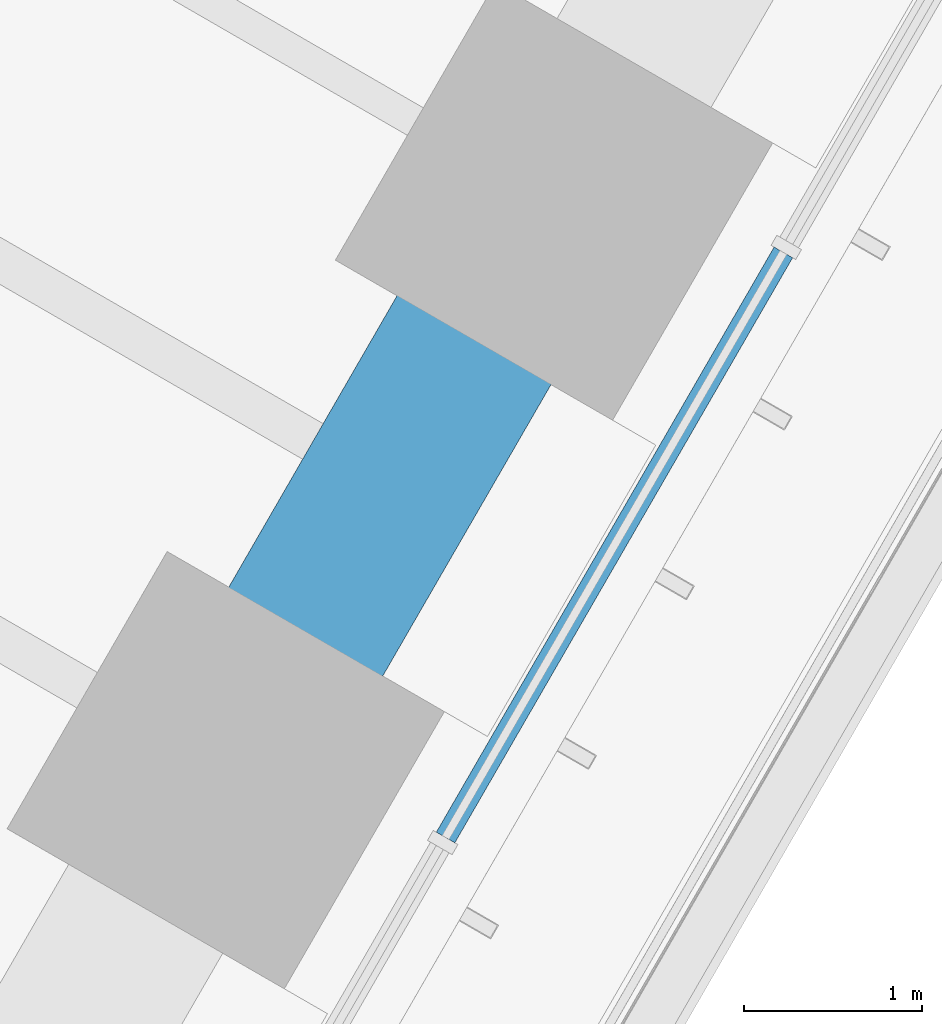
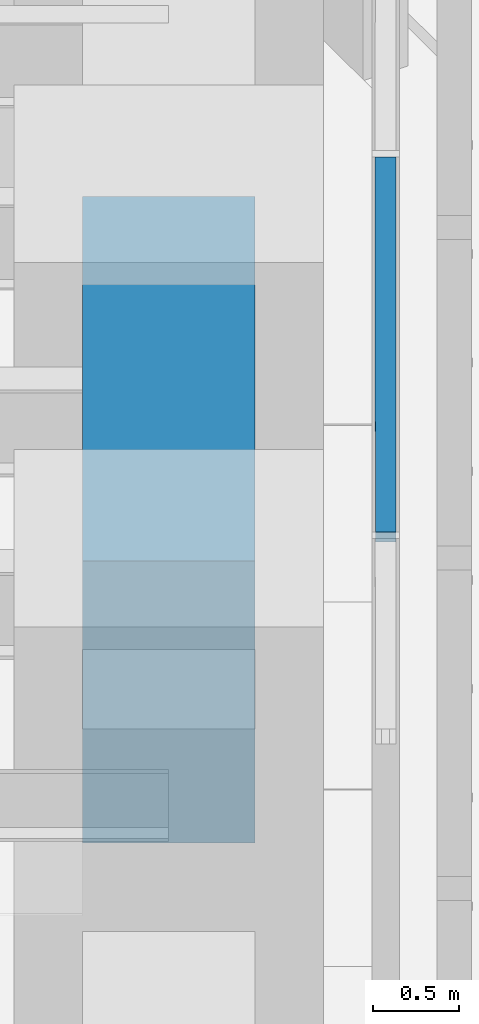
# One storey, part 113 of 228: 1 beam, 1 member, 1 element without a shape of its own.
"""IFC4 building model written with IfcOpenShell, lengths in metres."""

import ifcopenshell
import ifcopenshell.guid

model = None  # the IFC model being written
_history = None  # IfcOwnerHistory: only IFC2X3 demands one
_inside = {}  # id of a spatial element -> (the spatial element, [elements in it])
_under = {}  # id of a project, library or spatial element -> (it, [spatial elements below it])
_declared = {}  # id of a project -> (the project, [libraries it declares])
_typed = {}  # id of a type object -> (the type object, [elements of that type])
_made_of = {}  # id of a material, layer set ... -> (it, [elements and type objects made of it])


def new_model(schema):
    """Start an empty IFC model of exactly this schema.

    Asked for "IFC4X3", IfcOpenShell would pick the latest addendum, in which some entities
    have other attributes; the version numbers below select the first issue.
    IFC2X3 requires an IfcOwnerHistory on every rooted entity: one is made here for all.
    """
    global model, _history
    if schema == "IFC4X3":
        model = ifcopenshell.file(schema_version=(4, 3, 0, 0))
    else:
        model = ifcopenshell.file(schema=schema)
    _inside.clear()
    _under.clear()
    _declared.clear()
    _typed.clear()
    _made_of.clear()
    _history = None
    if model.schema == "IFC2X3":
        org = make("IfcOrganization", Name="unknown")
        user = make(
            "IfcPersonAndOrganization",
            ThePerson=make("IfcPerson", FamilyName="unknown"),
            TheOrganization=org,
        )
        app = make(
            "IfcApplication",
            ApplicationDeveloper=org,
            Version="unknown",
            ApplicationFullName="unknown",
            ApplicationIdentifier="unknown",
        )
        _history = make(
            "IfcOwnerHistory",
            OwningUser=user,
            OwningApplication=app,
            ChangeAction="ADDED",
            CreationDate=0,
        )
    return model


def make(cls, **values):
    """One entity of the class cls with the attributes given. An attribute that is None is left unset."""
    return model.create_entity(
        cls, **{name: value for name, value in values.items() if value is not None}
    )


def rooted(cls, **values):
    """An entity with a GlobalId (a new one), such as an element, a storey or a relation."""
    return make(cls, GlobalId=ifcopenshell.guid.new(), OwnerHistory=_history, **values)


def si_unit(unit_type, name, prefix=None):
    """IfcSIUnit, for example si_unit("LENGTHUNIT", "METRE", prefix="MILLI")."""
    return make("IfcSIUnit", UnitType=unit_type, Prefix=prefix, Name=name)


def assignment(units):
    """IfcUnitAssignment: the units of a project."""
    return None if units is None else make("IfcUnitAssignment", Units=units)


def point(xyz):
    """IfcCartesianPoint."""
    return None if xyz is None else make("IfcCartesianPoint", Coordinates=xyz)


def direction(xyz):
    """IfcDirection."""
    return None if xyz is None else make("IfcDirection", DirectionRatios=xyz)


def frame(location, z_axis=None, x_axis=None):
    """IfcAxis2Placement3D, a coordinate frame: its origin and axes. An axis left out is left unset."""
    return make(
        "IfcAxis2Placement3D",
        Location=point(location),
        Axis=direction(z_axis),
        RefDirection=direction(x_axis),
    )


def frame_2d(location, x_axis=None):
    """IfcAxis2Placement2D, a coordinate frame in the plane: its origin and x axis."""
    return make(
        "IfcAxis2Placement2D", Location=point(location), RefDirection=direction(x_axis)
    )


def origin():
    """The frame at (0, 0, 0) with its axes left unset."""
    return frame((0.0, 0.0, 0.0))


def origin_2d():
    """The frame at (0, 0) in the plane with its x axis left unset."""
    return frame_2d((0.0, 0.0))


def place(relative_to, where):
    """IfcLocalPlacement: puts the frame where relative to a parent placement (None: the world)."""
    return make(
        "IfcLocalPlacement", PlacementRelTo=relative_to, RelativePlacement=where
    )


def context(
    kind, dimensions, precision=None, world=None, true_north=None, identifier=None
):
    """IfcGeometricRepresentationContext, for example the 3D "Model" context."""
    return make(
        "IfcGeometricRepresentationContext",
        ContextIdentifier=identifier,
        ContextType=kind,
        CoordinateSpaceDimension=dimensions,
        Precision=precision,
        WorldCoordinateSystem=world,
        TrueNorth=true_north,
    )


def subcontext(parent, identifier, kind, view, scale=None):
    """IfcGeometricRepresentationSubContext, for example "Body" below "Model"."""
    return make(
        "IfcGeometricRepresentationSubContext",
        ContextIdentifier=identifier,
        ContextType=kind,
        ParentContext=parent,
        TargetScale=scale,
        TargetView=view,
    )


def project(units=None, contexts=None):
    """IfcProject with its units and contexts."""
    return rooted(
        "IfcProject",
        Name="project",
        RepresentationContexts=contexts,
        UnitsInContext=assignment(units),
    )


def spatial(cls, under=None, at=None, **own):
    """A site, building, storey or space (cls), placed at a placement, below another one or the project."""
    s = rooted(cls, ObjectPlacement=at, **own)
    if under is not None:
        _under.setdefault(under.id(), (under, []))[1].append(s)
    return s


def profile(cls, at=None, kind="AREA", **sizes):
    """A parametric profile (cls). Its sizes go by their IFC names, for example OverallWidth=200.0."""
    return make(cls, ProfileType=kind, Position=at, **sizes)


def rectangle(**sizes):
    """IfcRectangleProfileDef."""
    return profile("IfcRectangleProfileDef", **sizes)


def extrude(swept, where, along, depth):
    """IfcExtrudedAreaSolid: the profile swept, set in the frame where, extruded along a direction by depth."""
    return make(
        "IfcExtrudedAreaSolid",
        SweptArea=swept,
        Position=where,
        ExtrudedDirection=direction(along),
        Depth=depth,
    )


def shape(context_of_items, identifier, shape_type, items):
    """IfcShapeRepresentation: the items that make up one representation, for example the "Body"."""
    return make(
        "IfcShapeRepresentation",
        ContextOfItems=context_of_items,
        RepresentationIdentifier=identifier,
        RepresentationType=shape_type,
        Items=items,
    )


def material(Name=None, Category=None):
    """IfcMaterial."""
    return make("IfcMaterial", Name=Name, Category=Category)


def material_profile(
    of_material, cross_section, Name=None, Category=None, Priority=None
):
    """IfcMaterialProfile: a cross section and its material."""
    return make(
        "IfcMaterialProfile",
        Name=Name,
        Material=of_material,
        Profile=cross_section,
        Priority=Priority,
        Category=Category,
    )


def profile_set(profiles, Name=None, composite=None):
    """IfcMaterialProfileSet."""
    return make(
        "IfcMaterialProfileSet",
        Name=Name,
        MaterialProfiles=profiles,
        CompositeProfile=composite,
    )


def made_of(thing, what):
    """Note that an element or type object is made of a material, layer set ...; save() writes the relation."""
    if what is not None:
        _made_of.setdefault(what.id(), (what, []))[1].append(thing)
    return thing


def type_object(cls, material=None, **own):
    """A type object (cls), such as IfcWallType, which elements share."""
    return made_of(rooted(cls, **own), material)


def element(
    cls,
    number,
    at=None,
    inside=None,
    cuts=None,
    type_object=None,
    material=None,
    context=None,
    identifier="Body",
    shape_type=None,
    held_by="IfcProductDefinitionShape",
    body=None,
    shapes=None,
    **own,
):
    """One element of the class cls, such as IfcWall. Its Tag is "e" and its number.

    at: its placement. inside: the storey or other place that contains it. cuts: it is an
    opening in that element (IfcRelVoidsElement). A single representation is given by context,
    identifier, shape_type and body (its items); several are given by shapes. held_by: the class
    of the entity that holds the representations. save() writes the other relations.
    """
    e = rooted(cls, Tag="e%d" % number, ObjectPlacement=at, **own)
    if body is not None:
        shapes = [shape(context, identifier, shape_type, body)]
    if shapes is not None:
        e.Representation = make(held_by, Representations=shapes)
    if inside is not None:
        _inside.setdefault(inside.id(), (inside, []))[1].append(e)
    if cuts is not None:
        rooted(
            "IfcRelVoidsElement", RelatingBuildingElement=cuts, RelatedOpeningElement=e
        )
    if type_object is not None:
        _typed.setdefault(type_object.id(), (type_object, []))[1].append(e)
    return made_of(e, material)


def aggregate(whole, parts):
    """IfcRelAggregates: a whole, such as a stair, and the parts it consists of."""
    return rooted("IfcRelAggregates", RelatingObject=whole, RelatedObjects=parts)


def save(model, path):
    """Write the relations noted so far, then the file.

    IfcRelAggregates (storeys below a building ...), IfcRelContainedInSpatialStructure (elements
    in a storey), IfcRelDefinesByType, IfcRelAssociatesMaterial and IfcRelDeclares: one each for
    every whole, place, type object, material and project.
    """
    for whole, parts in _under.values():
        aggregate(whole, parts)
    for where, things in _inside.values():
        rooted(
            "IfcRelContainedInSpatialStructure",
            RelatedElements=things,
            RelatingStructure=where,
        )
    for kind, things in _typed.values():
        rooted("IfcRelDefinesByType", RelatedObjects=things, RelatingType=kind)
    for what, things in _made_of.values():
        rooted("IfcRelAssociatesMaterial", RelatedObjects=things, RelatingMaterial=what)
    for by, libraries in _declared.values():
        rooted("IfcRelDeclares", RelatingContext=by, RelatedDefinitions=libraries)
    model.write(path)


model = new_model("IFC4")

# Units and contexts
model_context = context("Model", 3, precision=1e-05, world=origin(), true_north=direction((0.0, 1.0)))
body_context = subcontext(model_context, "Body", "Model", "MODEL_VIEW")
ifc_project = project(units=[si_unit("LENGTHUNIT", "METRE"), si_unit("AREAUNIT", "SQUARE_METRE"), si_unit("VOLUMEUNIT", "CUBIC_METRE"), si_unit("PLANEANGLEUNIT", "RADIAN"), si_unit("MASSUNIT", "GRAM", prefix="KILO")], contexts=[model_context])

# Site, building, storey
site_placement = place(None, origin())
site = spatial("IfcSite", under=ifc_project, at=site_placement, CompositionType="ELEMENT")
building_placement = place(site_placement, origin())
building = spatial("IfcBuilding", under=site, at=building_placement, Name="Sandreach Pilgrim Tower", CompositionType="ELEMENT")
storey_placement = place(building_placement, frame((0.0, 0.0, 178.199951171875)))
storey = spatial("IfcBuildingStorey", under=building, at=storey_placement, Name="L44", CompositionType="ELEMENT", Elevation=178.199951171875)

# Curtain wall, member
ifc_material_1 = material(Name="Aluminium framed curtain wall", Category="aluminium")
curtain_wall_type = type_object("IfcCurtainWallType", Name="Upper hotel tower curtain wall", PredefinedType="NOTDEFINED", material=ifc_material_1)
curtain_wall_placement = place(storey_placement, origin())
curtain_wall = element("IfcCurtainWall", 1, at=curtain_wall_placement, inside=storey, type_object=curtain_wall_type, Name="CW-3 L44 SE", PredefinedType="NOTDEFINED")
ifc_material_2 = material(Name="Aluminium extrusion", Category="aluminium")
ifc_material_profile_1 = material_profile(ifc_material_2, rectangle(XDim=0.1201171875, YDim=0.070068359375, at=origin_2d()), Name="CW-3T 120X70")
ifc_profile_set_1 = profile_set([ifc_material_profile_1], Name="Aluminium extrusion")
member_type = type_object("IfcMemberType", Name="CW-3 transom", PredefinedType="USERDEFINED", material=ifc_profile_set_1)
member_placement = place(storey_placement, frame((23.139404296875, -2.241455078125, 4.804931640625), z_axis=(-0.499974606132, -0.866040064445, 0.0), x_axis=(0.866040064445, -0.499974606132, 0.0)))
member = element("IfcMember", 2, at=member_placement, type_object=member_type, Name="CW-3 head transom 3", ObjectType="TRANSOM", PredefinedType="USERDEFINED", context=body_context, shape_type="SweptSolid", body=[
    extrude(rectangle(XDim=0.1201171875, YDim=0.070068359375, at=origin_2d()), origin(), (0.0, 0.0, 1.0), 3.799560546875),
])
aggregate(curtain_wall, [member])

# Beam
ifc_material_3 = material(Name="Concrete 10000 psi", Category="concrete")
ifc_material_profile_2 = material_profile(ifc_material_3, rectangle(XDim=1.0, YDim=2.0, at=origin_2d()), Name="RC1000X2000")
ifc_profile_set_2 = profile_set([ifc_material_profile_2], Name="Concrete 10000 psi")
beam_type = type_object("IfcBeamType", Name="Spandrel beam RC1000X2000", PredefinedType="SPANDREL", material=ifc_profile_set_2)
beam_placement = place(storey_placement, frame((21.849609375, -1.95556640625, 3.840087890625), z_axis=(-0.499993363642, -0.866029235253, 0.0), x_axis=(0.866029235253, -0.499993363642, 0.0)))
element("IfcBeam", 3, at=beam_placement, inside=storey, type_object=beam_type, Name="BM L44 SP15", PredefinedType="SPANDREL", context=body_context, shape_type="SweptSolid", body=[
    extrude(rectangle(XDim=1.0, YDim=2.0, at=origin_2d()), origin(), (0.0, 0.0, 1.0), 3.6923828125),
])

save(model, "model.ifc")
